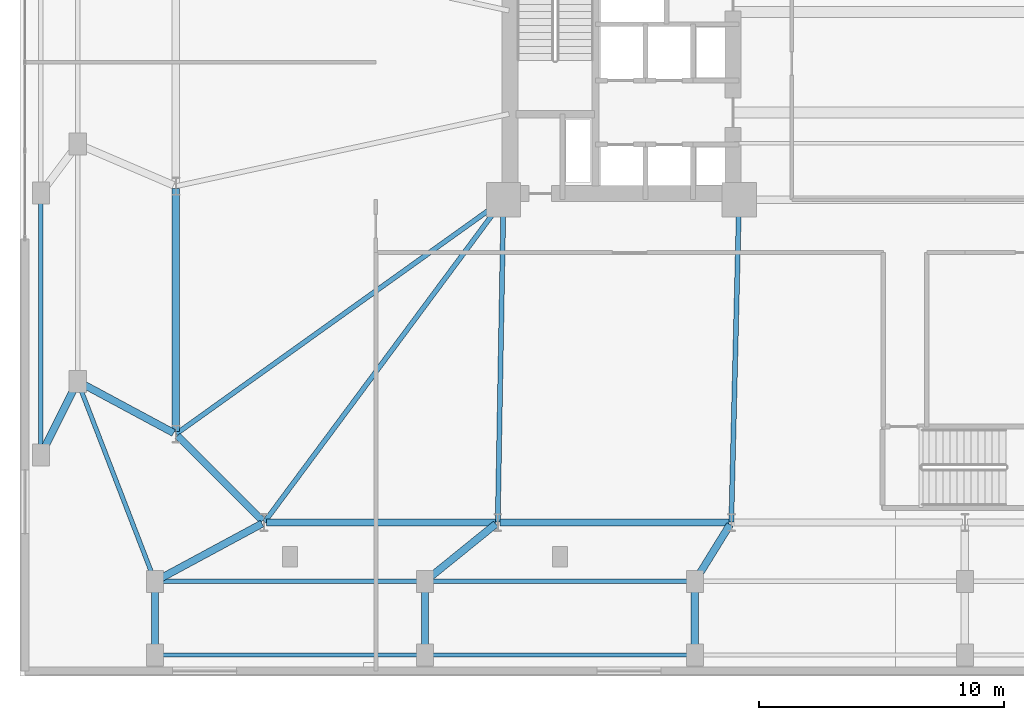
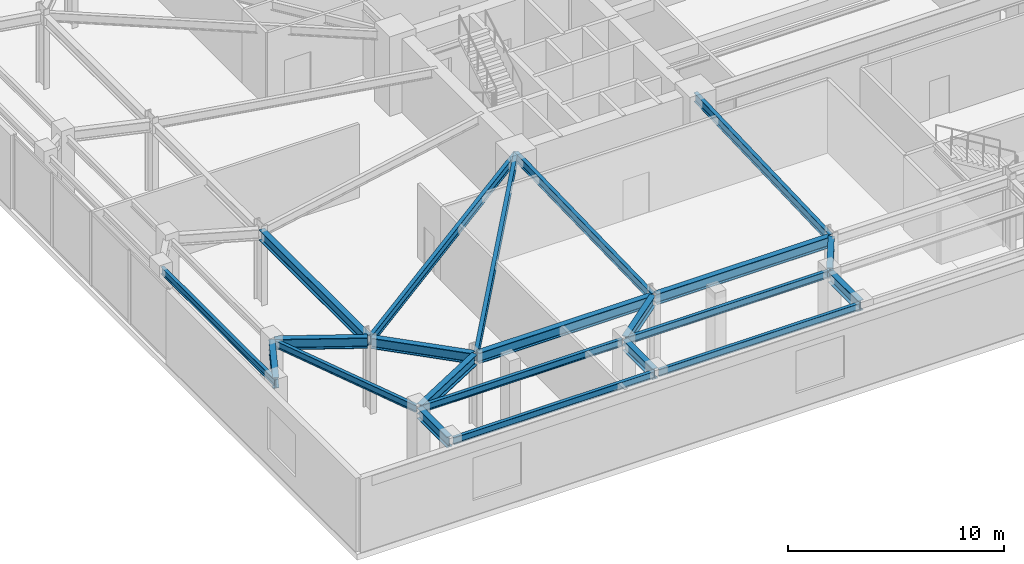
# One storey, part 4 of 23: 22 beams.
"""IFC4 building model written with IfcOpenShell, lengths in metres."""

from ifc_helpers import new_model, si_unit, direction, frame, origin, origin_2d, place, context, subcontext, project, spatial, i_section, extrude, material, material_profile, profile_set, type_object, element, save


model = new_model("IFC4")

# Units and contexts
model_context = context("Model", 3, precision=1e-05, world=origin(), true_north=direction((0.0, 1.0)))
body_context = subcontext(model_context, "Body", "Model", "MODEL_VIEW")
ifc_project = project(units=[si_unit("LENGTHUNIT", "METRE"), si_unit("AREAUNIT", "SQUARE_METRE"), si_unit("VOLUMEUNIT", "CUBIC_METRE"), si_unit("PLANEANGLEUNIT", "RADIAN"), si_unit("MASSUNIT", "GRAM", prefix="KILO")], contexts=[model_context])

# Site, building, storey
site_placement = place(None, origin())
site = spatial("IfcSite", under=ifc_project, at=site_placement, CompositionType="ELEMENT")
building_placement = place(site_placement, origin())
building = spatial("IfcBuilding", under=site, at=building_placement, Name="Qobustan Lattice House", CompositionType="ELEMENT")
storey_placement = place(building_placement, frame((0.0, 0.0, 9.0)))
storey = spatial("IfcBuildingStorey", under=building, at=storey_placement, Name="L02", CompositionType="ELEMENT", Elevation=9.0)

# Beams
ifc_material_1 = material(Name="Steel S355", Category="steel")
ifc_material_profile_1 = material_profile(ifc_material_1, i_section(OverallWidth=0.199951171875, OverallDepth=0.5, WebThickness=0.01025390625, FlangeThickness=0.01611328125, FilletRadius=0.02099609375, at=origin_2d()), Name="IPE500")
ifc_profile_set_1 = profile_set([ifc_material_profile_1], Name="Steel S355")
beam_type_1 = type_object("IfcBeamType", Name="BM-FLG-IPE500", PredefinedType="USERDEFINED", material=ifc_profile_set_1)
beam_1_placement = place(storey_placement, frame((-28.53515625, -18.72998046875, 3.919921875), z_axis=(0.5955916815, 0.803287338956, 0.0), x_axis=(-0.803287338956, 0.5955916815, 0.0)))
element("IfcBeam", 1, at=beam_1_placement, inside=storey, type_object=beam_type_1, Name="L02 primary floor girder RAD-S1W", ObjectType="GIRDER", PredefinedType="USERDEFINED", context=body_context, shape_type="SweptSolid", body=[
    extrude(i_section(OverallWidth=0.199951171875, OverallDepth=0.5, WebThickness=0.01025390625, FlangeThickness=0.01611328125, FilletRadius=0.02099609375, at=origin_2d()), origin(), (0.0, 0.0, 1.0), 16.3203125),
])
beam_2_placement = place(storey_placement, frame((-19.032958984375, -18.72509765625, 3.919921875), z_axis=(0.017757831607, 0.999842317276, 0.0), x_axis=(-0.999842317276, 0.017757831607, 0.0)))
element("IfcBeam", 2, at=beam_2_placement, inside=storey, type_object=beam_type_1, Name="L02 primary floor girder RAD-S2", ObjectType="GIRDER", PredefinedType="USERDEFINED", context=body_context, shape_type="SweptSolid", body=[
    extrude(i_section(OverallWidth=0.199951171875, OverallDepth=0.5, WebThickness=0.01025390625, FlangeThickness=0.01611328125, FilletRadius=0.02099609375, at=origin_2d()), origin(), (0.0, 0.0, 1.0), 13.10205078125),
])
beam_3_placement = place(storey_placement, frame((-9.51611328125, -18.72509765625, 3.919921875), z_axis=(0.024071445657, 0.999710240772, 0.0), x_axis=(-0.999710240772, 0.024071445657, 0.0)))
element("IfcBeam", 3, at=beam_3_placement, inside=storey, type_object=beam_type_1, Name="L02 primary floor girder RAD-S3", ObjectType="GIRDER", PredefinedType="USERDEFINED", context=body_context, shape_type="SweptSolid", body=[
    extrude(i_section(OverallWidth=0.199951171875, OverallDepth=0.5, WebThickness=0.01025390625, FlangeThickness=0.01611328125, FilletRadius=0.02099609375, at=origin_2d()), origin(), (0.0, 0.0, 1.0), 13.10400390625),
])
beam_4_placement = place(storey_placement, frame((-32.129638671875, -15.135498046875, 3.919921875), z_axis=(0.813318954893, 0.581818079481, 0.0), x_axis=(-0.581818079481, 0.813318954893, 0.0)))
element("IfcBeam", 4, at=beam_4_placement, inside=storey, type_object=beam_type_1, Name="L02 primary floor girder RAD-W4", ObjectType="GIRDER", PredefinedType="USERDEFINED", context=body_context, shape_type="SweptSolid", body=[
    extrude(i_section(OverallWidth=0.199951171875, OverallDepth=0.5, WebThickness=0.01025390625, FlangeThickness=0.01611328125, FilletRadius=0.02099609375, at=origin_2d()), origin(), (0.0, 0.0, 1.0), 16.3642578125),
])
ifc_material_2 = material(Name="Steel S355", Category="steel")
ifc_material_profile_2 = material_profile(ifc_material_2, i_section(OverallWidth=0.300048828125, OverallDepth=0.60009765625, WebThickness=0.015380859375, FlangeThickness=0.030029296875, FilletRadius=0.027099609375, at=origin_2d()), Name="HEB600")
ifc_profile_set_2 = profile_set([ifc_material_profile_2], Name="Steel S355")
beam_type_2 = type_object("IfcBeamType", Name="BM-POD-HEB600", PredefinedType="USERDEFINED", material=ifc_profile_set_2)
for number, where, z_axis, x_axis, name in (
    (5, (-33.0, -24.030029296875, 3.8701171875), (0.0, 1.0, 0.0), (-1.0, 0.0, 0.0), "L02 south terrace tie girder 1"),
    (6, (-22.0, -24.030029296875, 3.8701171875), (0.0, 1.0, 0.0), (-1.0, 0.0, 0.0), "L02 south terrace tie girder 2"),
    (7, (-11.0, -24.030029296875, 3.8701171875), (0.0, 1.0, 0.0), (-1.0, 0.0, 0.0), "L02 south terrace tie girder 3"),
):
    element("IfcBeam", number, at=place(storey_placement, frame(where, z_axis=z_axis, x_axis=x_axis)), inside=storey, type_object=beam_type_2, Name=name, ObjectType="GIRDER", PredefinedType="USERDEFINED", context=body_context, shape_type="SweptSolid", body=[
        extrude(i_section(OverallWidth=0.300048828125, OverallDepth=0.60009765625, WebThickness=0.015380859375, FlangeThickness=0.030029296875, FilletRadius=0.027099609375, at=origin_2d()), origin(), (0.0, 0.0, 1.0), 2.760009765625),
    ])
beam_5_placement = place(storey_placement, frame((-37.59619140625, -15.892578125, 3.8701171875), z_axis=(0.4472135955, 0.894427191, 0.0), x_axis=(-0.894427191, 0.4472135955, 0.0)))
element("IfcBeam", 8, at=beam_5_placement, inside=storey, type_object=beam_type_2, Name="L02 setback tie girder PWL1", ObjectType="GIRDER", PredefinedType="USERDEFINED", context=body_context, shape_type="SweptSolid", body=[
    extrude(i_section(OverallWidth=0.300048828125, OverallDepth=0.60009765625, WebThickness=0.015380859375, FlangeThickness=0.030029296875, FilletRadius=0.027099609375, at=origin_2d()), origin(), (0.0, 0.0, 1.0), 3.114013671875),
])
for number, where, z_axis, x_axis, name in (
    (9, (-28.449951171875, -18.75, 3.8701171875), (1.0, 0.0, 0.0), (0.0, 1.0, 0.0), "L02 tower base ring girder S1-S2"),
    (10, (-18.933349609375, -18.75, 3.8701171875), (1.0, 0.0, 0.0), (0.0, 1.0, 0.0), "L02 tower base ring girder S2-S3"),
):
    element("IfcBeam", number, at=place(storey_placement, frame(where, z_axis=z_axis, x_axis=x_axis)), inside=storey, type_object=beam_type_2, Name=name, ObjectType="GIRDER", PredefinedType="USERDEFINED", context=body_context, shape_type="SweptSolid", body=[
        extrude(i_section(OverallWidth=0.300048828125, OverallDepth=0.60009765625, WebThickness=0.015380859375, FlangeThickness=0.030029296875, FilletRadius=0.027099609375, at=origin_2d()), origin(), (0.0, 0.0, 1.0), 9.316650390625),
    ])
beam_6_placement = place(storey_placement, frame((-32.14990234375, -5.14990234375, 3.8701171875), z_axis=(0.0, -1.0, 0.0), x_axis=(1.0, 0.0, 0.0)))
element("IfcBeam", 11, at=beam_6_placement, inside=storey, type_object=beam_type_2, Name="L02 tower base ring girder W3-W4", ObjectType="GIRDER", PredefinedType="USERDEFINED", context=body_context, shape_type="SweptSolid", body=[
    extrude(i_section(OverallWidth=0.300048828125, OverallDepth=0.60009765625, WebThickness=0.015380859375, FlangeThickness=0.030029296875, FilletRadius=0.027099609375, at=origin_2d()), origin(), (0.0, 0.0, 1.0), 9.900146484375),
])
beam_7_placement = place(storey_placement, frame((-32.079345703125, -15.220703125, 3.8701171875), z_axis=(0.70713173775, -0.707081823743, 0.0), x_axis=(0.707081823743, 0.70713173775, 0.0)))
element("IfcBeam", 12, at=beam_7_placement, inside=storey, type_object=beam_type_2, Name="L02 tower base ring girder W4-S1", ObjectType="GIRDER", PredefinedType="USERDEFINED", context=body_context, shape_type="SweptSolid", body=[
    extrude(i_section(OverallWidth=0.300048828125, OverallDepth=0.60009765625, WebThickness=0.015380859375, FlangeThickness=0.030029296875, FilletRadius=0.027099609375, at=origin_2d()), origin(), (0.0, 0.0, 1.0), 4.89111328125),
])
beam_8_placement = place(storey_placement, frame((-32.894287109375, -21.093017578125, 3.8701171875), z_axis=(0.88016615165, 0.474665719732, 0.0), x_axis=(-0.474665719732, 0.88016615165, 0.0)))
element("IfcBeam", 13, at=beam_8_placement, inside=storey, type_object=beam_type_2, Name="L02 podium radial girder PS1", ObjectType="GIRDER", PredefinedType="USERDEFINED", context=body_context, shape_type="SweptSolid", body=[
    extrude(i_section(OverallWidth=0.300048828125, OverallDepth=0.60009765625, WebThickness=0.015380859375, FlangeThickness=0.030029296875, FilletRadius=0.027099609375, at=origin_2d()), origin(), (0.0, 0.0, 1.0), 4.8359375),
])
beam_9_placement = place(storey_placement, frame((-21.90673828125, -21.074462890625, 3.8701171875), z_axis=(0.777472502595, 0.62891693228, 0.0), x_axis=(-0.62891693228, 0.777472502595, 0.0)))
element("IfcBeam", 14, at=beam_9_placement, inside=storey, type_object=beam_type_2, Name="L02 podium radial girder PS2", ObjectType="GIRDER", PredefinedType="USERDEFINED", context=body_context, shape_type="SweptSolid", body=[
    extrude(i_section(OverallWidth=0.300048828125, OverallDepth=0.60009765625, WebThickness=0.015380859375, FlangeThickness=0.030029296875, FilletRadius=0.027099609375, at=origin_2d()), origin(), (0.0, 0.0, 1.0), 3.595703125),
])
beam_10_placement = place(storey_placement, frame((-10.93701171875, -21.0478515625, 3.8701171875), z_axis=(0.525782588011, 0.850618992349, 0.0), x_axis=(-0.850618992349, 0.525782588011, 0.0)))
element("IfcBeam", 15, at=beam_10_placement, inside=storey, type_object=beam_type_2, Name="L02 podium radial girder PS3", ObjectType="GIRDER", PredefinedType="USERDEFINED", context=body_context, shape_type="SweptSolid", body=[
    extrude(i_section(OverallWidth=0.300048828125, OverallDepth=0.60009765625, WebThickness=0.015380859375, FlangeThickness=0.030029296875, FilletRadius=0.027099609375, at=origin_2d()), origin(), (0.0, 0.0, 1.0), 2.601318359375),
])
beam_11_placement = place(storey_placement, frame((-36.044189453125, -13.056884765625, 3.8701171875), z_axis=(0.880815561441, -0.473459551307, 0.0), x_axis=(0.473459551307, 0.880815561441, 0.0)))
element("IfcBeam", 16, at=beam_11_placement, inside=storey, type_object=beam_type_2, Name="L02 podium radial girder PW1", ObjectType="GIRDER", PredefinedType="USERDEFINED", context=body_context, shape_type="SweptSolid", body=[
    extrude(i_section(OverallWidth=0.300048828125, OverallDepth=0.60009765625, WebThickness=0.015380859375, FlangeThickness=0.030029296875, FilletRadius=0.027099609375, at=origin_2d()), origin(), (0.0, 0.0, 1.0), 4.3212890625),
])
ifc_material_3 = material(Name="Steel S355", Category="steel")
ifc_material_profile_3 = material_profile(ifc_material_3, i_section(OverallWidth=0.179931640625, OverallDepth=0.39990234375, WebThickness=0.008544921875, FlangeThickness=0.013427734375, FilletRadius=0.02099609375, at=origin_2d()), Name="IPE400")
ifc_profile_set_3 = profile_set([ifc_material_profile_3], Name="Steel S355")
beam_type_3 = type_object("IfcBeamType", Name="BM-SPD-IPE400", PredefinedType="SPANDREL", material=ifc_profile_set_3)
for number, where, z_axis, x_axis, name in (
    (17, (-32.8798828125, -21.14990234375, 3.969970703125), (1.0, 0.0, 0.0), (0.0, 1.0, 0.0), "L02 podium spandrel PS1-PS2"),
    (18, (-21.8798828125, -21.14990234375, 3.969970703125), (1.0, 0.0, 0.0), (0.0, 1.0, 0.0), "L02 podium spandrel PS2-PS3"),
):
    element("IfcBeam", number, at=place(storey_placement, frame(where, z_axis=z_axis, x_axis=x_axis)), inside=storey, type_object=beam_type_3, Name=name, PredefinedType="SPANDREL", context=body_context, shape_type="SweptSolid", body=[
        extrude(i_section(OverallWidth=0.179931640625, OverallDepth=0.39990234375, WebThickness=0.008544921875, FlangeThickness=0.013427734375, FilletRadius=0.02099609375, at=origin_2d()), origin(), (0.0, 0.0, 1.0), 10.759765625),
    ])
beam_12_placement = place(storey_placement, frame((-33.043212890625, -21.0380859375, 3.969970703125), z_axis=(-0.360507225068, 0.93275642087, 0.0), x_axis=(-0.93275642087, -0.360507225068, 0.0)))
element("IfcBeam", 19, at=beam_12_placement, inside=storey, type_object=beam_type_3, Name="L02 podium corner tie PS1-PW1", PredefinedType="SPANDREL", context=body_context, shape_type="SweptSolid", body=[
    extrude(i_section(OverallWidth=0.179931640625, OverallDepth=0.39990234375, WebThickness=0.008544921875, FlangeThickness=0.013427734375, FilletRadius=0.02099609375, at=origin_2d()), origin(), (0.0, 0.0, 1.0), 8.497802734375),
])
for number, where, z_axis, x_axis, name in (
    (20, (-32.8798828125, -24.14990234375, 3.969970703125), (1.0, 0.0, 0.0), (0.0, 1.0, 0.0), "L02 lower podium spandrel PSL1-PSL2"),
    (21, (-21.8798828125, -24.14990234375, 3.969970703125), (1.0, 0.0, 0.0), (0.0, 1.0, 0.0), "L02 lower podium spandrel PSL2-PSL3"),
):
    element("IfcBeam", number, at=place(storey_placement, frame(where, z_axis=z_axis, x_axis=x_axis)), inside=storey, type_object=beam_type_3, Name=name, PredefinedType="SPANDREL", context=body_context, shape_type="SweptSolid", body=[
        extrude(i_section(OverallWidth=0.179931640625, OverallDepth=0.39990234375, WebThickness=0.008544921875, FlangeThickness=0.013427734375, FilletRadius=0.02099609375, at=origin_2d()), origin(), (0.0, 0.0, 1.0), 10.759765625),
    ])
beam_13_placement = place(storey_placement, frame((-37.64990234375, -15.8798828125, 3.969970703125), z_axis=(0.0, 1.0, 0.0), x_axis=(-1.0, 0.0, 0.0)))
element("IfcBeam", 22, at=beam_13_placement, inside=storey, type_object=beam_type_3, Name="L02 lower podium spandrel PWL1-PWL2", PredefinedType="SPANDREL", context=body_context, shape_type="SweptSolid", body=[
    extrude(i_section(OverallWidth=0.179931640625, OverallDepth=0.39990234375, WebThickness=0.008544921875, FlangeThickness=0.013427734375, FilletRadius=0.02099609375, at=origin_2d()), origin(), (0.0, 0.0, 1.0), 10.426513671875),
])

save(model, "model.ifc")
